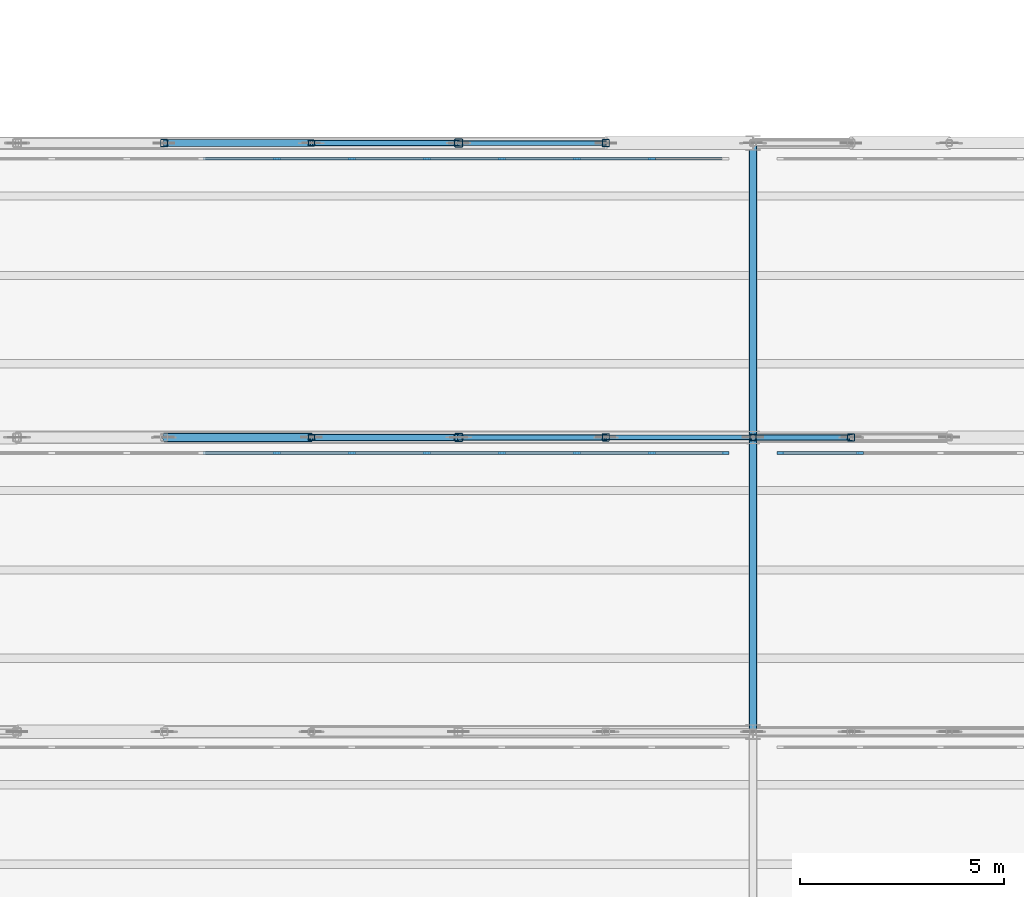
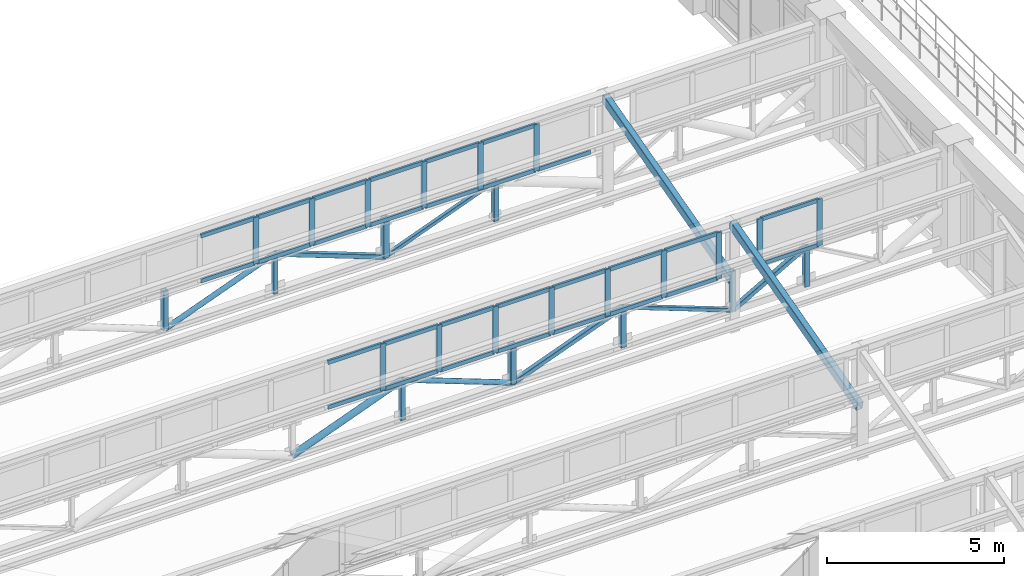
# One storey, part 34 of 98: 61 members, 2 beams, 3 elements without a shape of their own.
"""IFC4 building model written with IfcOpenShell, lengths in metres."""

from ifc_helpers import new_model, si_unit, direction, frame, origin, origin_2d, place, context, subcontext, project, spatial, rectangle, hollow_rectangle, hollow_circle, extrude, material, layer, layer_set, material_profile, profile_set, type_object, element, aggregate, save


model = new_model("IFC4")

# Units and contexts
model_context = context("Model", 3, precision=1e-05, world=origin(), true_north=direction((0.0, 1.0)))
body_context = subcontext(model_context, "Body", "Model", "MODEL_VIEW")
ifc_project = project(units=[si_unit("LENGTHUNIT", "METRE"), si_unit("AREAUNIT", "SQUARE_METRE"), si_unit("VOLUMEUNIT", "CUBIC_METRE"), si_unit("PLANEANGLEUNIT", "RADIAN"), si_unit("MASSUNIT", "GRAM", prefix="KILO")], contexts=[model_context])

# Site, building, storey
site_placement = place(None, origin())
site = spatial("IfcSite", under=ifc_project, at=site_placement, CompositionType="ELEMENT")
building_placement = place(site_placement, origin())
building = spatial("IfcBuilding", under=site, at=building_placement, Name="Solenvale Faculty of Natural Sciences", CompositionType="ELEMENT")
storey_placement = place(building_placement, frame((0.0, 0.0, 9.0)))
storey = spatial("IfcBuildingStorey", under=building, at=storey_placement, Name="L02", CompositionType="ELEMENT", Elevation=9.0)

# Beams
ifc_material_1 = material(Name="Steel S355", Category="steel")
ifc_material_profile_1 = material_profile(ifc_material_1, hollow_rectangle(XDim=0.202880859375, YDim=0.304931640625, WallThickness=0.0126953125, InnerFilletRadius=0.0126953125, OuterFilletRadius=0.025390625, at=origin_2d()), Name="HSS305x203x13")
ifc_profile_set_1 = profile_set([ifc_material_profile_1], Name="Steel S355")
beam_type = type_object("IfcBeamType", Name="BM-RAF-HSS305", PredefinedType="BEAM", material=ifc_profile_set_1)
for number, where, z_axis, x_axis, name in (
    (1, (28.800048828125, 28.800048828125, 1.719970703125), (0.0, 0.965901991803, 0.258907980238), (-1.0, 0.0, 0.0), "V1 Sawtooth End Rafter 5.1.E"),
    (2, (28.800048828125, 36.0, 1.719970703125), (0.0, 0.965901991803, 0.258907980238), (-1.0, 0.0, 0.0), "V1 Sawtooth End Rafter 6.1.E"),
):
    element("IfcBeam", number, at=place(storey_placement, frame(where, z_axis=z_axis, x_axis=x_axis)), inside=storey, type_object=beam_type, Name=name, PredefinedType="BEAM", context=body_context, shape_type="SweptSolid", body=[
        extrude(hollow_rectangle(XDim=0.202880859375, YDim=0.304931640625, WallThickness=0.0126953125, InnerFilletRadius=0.0126953125, OuterFilletRadius=0.025390625, at=origin_2d()), origin(), (0.0, 0.0, 1.0), 7.4541015625),
    ])

# Curtain wall, members
ifc_material_2 = material(Name="Anodised bronze aluminium", Category="aluminium")
ifc_layer = layer(ifc_material_2, 0.1650390625)
ifc_layer_set = layer_set([ifc_layer], Name="Anodised bronze aluminium")
curtain_wall_type = type_object("IfcCurtainWallType", Name="CW-SAW-CLR", PredefinedType="USERDEFINED", material=ifc_layer_set)
curtain_wall_1_placement = place(storey_placement, origin())
curtain_wall_1 = element("IfcCurtainWall", 3, at=curtain_wall_1_placement, inside=storey, type_object=curtain_wall_type, Name="L02 Curtain Wall SAW-V1-CW-5-1", ObjectType="NORTH LIGHT CLERESTORY", PredefinedType="USERDEFINED")
ifc_material_profile_2 = material_profile(ifc_material_2, rectangle(XDim=0.06494140625, YDim=0.175048828125, at=origin_2d()), Name="ALU-MUL-65x175")
ifc_profile_set_2 = profile_set([ifc_material_profile_2], Name="Anodised bronze aluminium")
member_type_1 = type_object("IfcMemberType", Name="CWM-ALU-65x175", PredefinedType="MULLION", material=ifc_profile_set_2)
member_1_placement = place(storey_placement, frame((28.12744140625, 35.6201171875, 2.22998046875), z_axis=(0.0, 0.0, 1.0), x_axis=(0.0, -1.0, 0.0)))
member_1 = element("IfcMember", 4, at=member_1_placement, type_object=member_type_1, Name="CW-05 mullion 1", PredefinedType="MULLION", context=body_context, shape_type="SweptSolid", body=[
    extrude(rectangle(XDim=0.06494140625, YDim=0.175048828125, at=origin_2d()), origin(), (0.0, 0.0, 1.0), 1.610107421875),
])
member_2_placement = place(storey_placement, frame((26.325439453125, 35.6201171875, 2.22998046875), z_axis=(0.0, 0.0, 1.0), x_axis=(0.0, -1.0, 0.0)))
member_2 = element("IfcMember", 5, at=member_2_placement, type_object=member_type_1, Name="CW-05 mullion 2", PredefinedType="MULLION", context=body_context, shape_type="SweptSolid", body=[
    extrude(rectangle(XDim=0.06494140625, YDim=0.175048828125, at=origin_2d()), origin(), (0.0, 0.0, 1.0), 1.610107421875),
])
member_3_placement = place(storey_placement, frame((24.49072265625, 35.6201171875, 2.22998046875), z_axis=(0.0, 0.0, 1.0), x_axis=(0.0, -1.0, 0.0)))
member_3 = element("IfcMember", 6, at=member_3_placement, type_object=member_type_1, Name="CW-05 mullion 3", PredefinedType="MULLION", context=body_context, shape_type="SweptSolid", body=[
    extrude(rectangle(XDim=0.06494140625, YDim=0.175048828125, at=origin_2d()), origin(), (0.0, 0.0, 1.0), 1.610107421875),
])
member_4_placement = place(storey_placement, frame((22.656005859375, 35.6201171875, 2.22998046875), z_axis=(0.0, 0.0, 1.0), x_axis=(0.0, -1.0, 0.0)))
member_4 = element("IfcMember", 7, at=member_4_placement, type_object=member_type_1, Name="CW-05 mullion 4", PredefinedType="MULLION", context=body_context, shape_type="SweptSolid", body=[
    extrude(rectangle(XDim=0.06494140625, YDim=0.175048828125, at=origin_2d()), origin(), (0.0, 0.0, 1.0), 1.610107421875),
])
member_5_placement = place(storey_placement, frame((20.8212890625, 35.6201171875, 2.22998046875), z_axis=(0.0, 0.0, 1.0), x_axis=(0.0, -1.0, 0.0)))
member_5 = element("IfcMember", 8, at=member_5_placement, type_object=member_type_1, Name="CW-05 mullion 5", PredefinedType="MULLION", context=body_context, shape_type="SweptSolid", body=[
    extrude(rectangle(XDim=0.06494140625, YDim=0.175048828125, at=origin_2d()), origin(), (0.0, 0.0, 1.0), 1.610107421875),
])
member_6_placement = place(storey_placement, frame((18.986572265625, 35.6201171875, 2.22998046875), z_axis=(0.0, 0.0, 1.0), x_axis=(0.0, -1.0, 0.0)))
member_6 = element("IfcMember", 9, at=member_6_placement, type_object=member_type_1, Name="CW-05 mullion 6", PredefinedType="MULLION", context=body_context, shape_type="SweptSolid", body=[
    extrude(rectangle(XDim=0.06494140625, YDim=0.175048828125, at=origin_2d()), origin(), (0.0, 0.0, 1.0), 1.610107421875),
])
member_7_placement = place(storey_placement, frame((17.152099609375, 35.6201171875, 2.22998046875), z_axis=(0.0, 0.0, 1.0), x_axis=(0.0, -1.0, 0.0)))
member_7 = element("IfcMember", 10, at=member_7_placement, type_object=member_type_1, Name="CW-05 mullion 7", PredefinedType="MULLION", context=body_context, shape_type="SweptSolid", body=[
    extrude(rectangle(XDim=0.06494140625, YDim=0.175048828125, at=origin_2d()), origin(), (0.0, 0.0, 1.0), 1.610107421875),
])

curtain_wall_2_placement = place(storey_placement, origin())
curtain_wall_2 = element("IfcCurtainWall", 11, at=curtain_wall_2_placement, inside=storey, type_object=curtain_wall_type, Name="L02 Curtain Wall SAW-V1-CW-5-2", ObjectType="NORTH LIGHT CLERESTORY", PredefinedType="USERDEFINED")
member_8_placement = place(storey_placement, frame((31.413330078125, 35.6201171875, 2.22998046875), z_axis=(0.0, 0.0, 1.0), x_axis=(0.0, -1.0, 0.0)))
member_8 = element("IfcMember", 12, at=member_8_placement, type_object=member_type_1, Name="CW-05 mullion 3", PredefinedType="MULLION", context=body_context, shape_type="SweptSolid", body=[
    extrude(rectangle(XDim=0.06494140625, YDim=0.175048828125, at=origin_2d()), origin(), (0.0, 0.0, 1.0), 1.610107421875),
])
member_9_placement = place(storey_placement, frame((29.472412109375, 35.6201171875, 2.22998046875), z_axis=(0.0, 0.0, 1.0), x_axis=(0.0, -1.0, 0.0)))
member_9 = element("IfcMember", 13, at=member_9_placement, type_object=member_type_1, Name="CW-05 mullion 4", PredefinedType="MULLION", context=body_context, shape_type="SweptSolid", body=[
    extrude(rectangle(XDim=0.06494140625, YDim=0.175048828125, at=origin_2d()), origin(), (0.0, 0.0, 1.0), 1.610107421875),
])

curtain_wall_3_placement = place(storey_placement, origin())
curtain_wall_3 = element("IfcCurtainWall", 14, at=curtain_wall_3_placement, inside=storey, type_object=curtain_wall_type, Name="L02 Curtain Wall SAW-V1-CW-6-1", ObjectType="NORTH LIGHT CLERESTORY", PredefinedType="USERDEFINED")
member_10_placement = place(storey_placement, frame((26.325439453125, 42.820068359375, 2.22998046875), z_axis=(0.0, 0.0, 1.0), x_axis=(0.0, -1.0, 0.0)))
member_10 = element("IfcMember", 15, at=member_10_placement, type_object=member_type_1, Name="CW-05 mullion 2", PredefinedType="MULLION", context=body_context, shape_type="SweptSolid", body=[
    extrude(rectangle(XDim=0.06494140625, YDim=0.175048828125, at=origin_2d()), origin(), (0.0, 0.0, 1.0), 1.610107421875),
])
member_11_placement = place(storey_placement, frame((24.49072265625, 42.820068359375, 2.22998046875), z_axis=(0.0, 0.0, 1.0), x_axis=(0.0, -1.0, 0.0)))
member_11 = element("IfcMember", 16, at=member_11_placement, type_object=member_type_1, Name="CW-05 mullion 3", PredefinedType="MULLION", context=body_context, shape_type="SweptSolid", body=[
    extrude(rectangle(XDim=0.06494140625, YDim=0.175048828125, at=origin_2d()), origin(), (0.0, 0.0, 1.0), 1.610107421875),
])
member_12_placement = place(storey_placement, frame((22.656005859375, 42.820068359375, 2.22998046875), z_axis=(0.0, 0.0, 1.0), x_axis=(0.0, -1.0, 0.0)))
member_12 = element("IfcMember", 17, at=member_12_placement, type_object=member_type_1, Name="CW-05 mullion 4", PredefinedType="MULLION", context=body_context, shape_type="SweptSolid", body=[
    extrude(rectangle(XDim=0.06494140625, YDim=0.175048828125, at=origin_2d()), origin(), (0.0, 0.0, 1.0), 1.610107421875),
])
member_13_placement = place(storey_placement, frame((20.8212890625, 42.820068359375, 2.22998046875), z_axis=(0.0, 0.0, 1.0), x_axis=(0.0, -1.0, 0.0)))
member_13 = element("IfcMember", 18, at=member_13_placement, type_object=member_type_1, Name="CW-05 mullion 5", PredefinedType="MULLION", context=body_context, shape_type="SweptSolid", body=[
    extrude(rectangle(XDim=0.06494140625, YDim=0.175048828125, at=origin_2d()), origin(), (0.0, 0.0, 1.0), 1.610107421875),
])
member_14_placement = place(storey_placement, frame((18.986572265625, 42.820068359375, 2.22998046875), z_axis=(0.0, 0.0, 1.0), x_axis=(0.0, -1.0, 0.0)))
member_14 = element("IfcMember", 19, at=member_14_placement, type_object=member_type_1, Name="CW-05 mullion 6", PredefinedType="MULLION", context=body_context, shape_type="SweptSolid", body=[
    extrude(rectangle(XDim=0.06494140625, YDim=0.175048828125, at=origin_2d()), origin(), (0.0, 0.0, 1.0), 1.610107421875),
])
member_15_placement = place(storey_placement, frame((17.152099609375, 42.820068359375, 2.22998046875), z_axis=(0.0, 0.0, 1.0), x_axis=(0.0, -1.0, 0.0)))
member_15 = element("IfcMember", 20, at=member_15_placement, type_object=member_type_1, Name="CW-05 mullion 7", PredefinedType="MULLION", context=body_context, shape_type="SweptSolid", body=[
    extrude(rectangle(XDim=0.06494140625, YDim=0.175048828125, at=origin_2d()), origin(), (0.0, 0.0, 1.0), 1.610107421875),
])

# Member
ifc_material_profile_3 = material_profile(ifc_material_2, rectangle(XDim=0.06494140625, YDim=0.135009765625, at=origin_2d()), Name="ALU-TRN-65x135")
ifc_profile_set_3 = profile_set([ifc_material_profile_3], Name="Anodised bronze aluminium")
member_type_2 = type_object("IfcMemberType", Name="CWT-ALU-65x135", PredefinedType="USERDEFINED", material=ifc_profile_set_3)
member_16_placement = place(storey_placement, frame((28.094970703125, 35.6201171875, 2.262451171875), z_axis=(-1.0, 0.0, 0.0), x_axis=(0.0, -1.0, 0.0)))
member_16 = element("IfcMember", 21, at=member_16_placement, type_object=member_type_2, Name="CW-05 transom 1.1", ObjectType="TRANSOM", PredefinedType="USERDEFINED", context=body_context, shape_type="SweptSolid", body=[
    extrude(rectangle(XDim=0.06494140625, YDim=0.135009765625, at=origin_2d()), origin(), (0.0, 0.0, 1.0), 1.737060546875),
])

member_17_placement = place(storey_placement, frame((28.094970703125, 35.6201171875, 3.8076171875), z_axis=(-1.0, 0.0, 0.0), x_axis=(0.0, -1.0, 0.0)))
member_17 = element("IfcMember", 22, at=member_17_placement, type_object=member_type_2, Name="CW-05 transom 1.2", ObjectType="TRANSOM", PredefinedType="USERDEFINED", context=body_context, shape_type="SweptSolid", body=[
    extrude(rectangle(XDim=0.06494140625, YDim=0.135009765625, at=origin_2d()), origin(), (0.0, 0.0, 1.0), 1.737060546875),
])

member_18_placement = place(storey_placement, frame((26.292724609375, 35.6201171875, 2.262451171875), z_axis=(-1.0, 0.0, 0.0), x_axis=(0.0, -1.0, 0.0)))
member_18 = element("IfcMember", 23, at=member_18_placement, type_object=member_type_2, Name="CW-05 transom 2.1", ObjectType="TRANSOM", PredefinedType="USERDEFINED", context=body_context, shape_type="SweptSolid", body=[
    extrude(rectangle(XDim=0.06494140625, YDim=0.135009765625, at=origin_2d()), origin(), (0.0, 0.0, 1.0), 1.76953125),
])

member_19_placement = place(storey_placement, frame((26.292724609375, 35.6201171875, 3.8076171875), z_axis=(-1.0, 0.0, 0.0), x_axis=(0.0, -1.0, 0.0)))
member_19 = element("IfcMember", 24, at=member_19_placement, type_object=member_type_2, Name="CW-05 transom 2.2", ObjectType="TRANSOM", PredefinedType="USERDEFINED", context=body_context, shape_type="SweptSolid", body=[
    extrude(rectangle(XDim=0.06494140625, YDim=0.135009765625, at=origin_2d()), origin(), (0.0, 0.0, 1.0), 1.76953125),
])

member_20_placement = place(storey_placement, frame((24.458251953125, 35.6201171875, 2.262451171875), z_axis=(-1.0, 0.0, 0.0), x_axis=(0.0, -1.0, 0.0)))
member_20 = element("IfcMember", 25, at=member_20_placement, type_object=member_type_2, Name="CW-05 transom 3.1", ObjectType="TRANSOM", PredefinedType="USERDEFINED", context=body_context, shape_type="SweptSolid", body=[
    extrude(rectangle(XDim=0.06494140625, YDim=0.135009765625, at=origin_2d()), origin(), (0.0, 0.0, 1.0), 1.769775390625),
])

member_21_placement = place(storey_placement, frame((24.458251953125, 35.6201171875, 3.8076171875), z_axis=(-1.0, 0.0, 0.0), x_axis=(0.0, -1.0, 0.0)))
member_21 = element("IfcMember", 26, at=member_21_placement, type_object=member_type_2, Name="CW-05 transom 3.2", ObjectType="TRANSOM", PredefinedType="USERDEFINED", context=body_context, shape_type="SweptSolid", body=[
    extrude(rectangle(XDim=0.06494140625, YDim=0.135009765625, at=origin_2d()), origin(), (0.0, 0.0, 1.0), 1.769775390625),
])

member_22_placement = place(storey_placement, frame((22.62353515625, 35.6201171875, 2.262451171875), z_axis=(-1.0, 0.0, 0.0), x_axis=(0.0, -1.0, 0.0)))
member_22 = element("IfcMember", 27, at=member_22_placement, type_object=member_type_2, Name="CW-05 transom 4.1", ObjectType="TRANSOM", PredefinedType="USERDEFINED", context=body_context, shape_type="SweptSolid", body=[
    extrude(rectangle(XDim=0.06494140625, YDim=0.135009765625, at=origin_2d()), origin(), (0.0, 0.0, 1.0), 1.769775390625),
])

member_23_placement = place(storey_placement, frame((22.62353515625, 35.6201171875, 3.8076171875), z_axis=(-1.0, 0.0, 0.0), x_axis=(0.0, -1.0, 0.0)))
member_23 = element("IfcMember", 28, at=member_23_placement, type_object=member_type_2, Name="CW-05 transom 4.2", ObjectType="TRANSOM", PredefinedType="USERDEFINED", context=body_context, shape_type="SweptSolid", body=[
    extrude(rectangle(XDim=0.06494140625, YDim=0.135009765625, at=origin_2d()), origin(), (0.0, 0.0, 1.0), 1.769775390625),
])

member_24_placement = place(storey_placement, frame((20.788818359375, 35.6201171875, 2.262451171875), z_axis=(-1.0, 0.0, 0.0), x_axis=(0.0, -1.0, 0.0)))
member_24 = element("IfcMember", 29, at=member_24_placement, type_object=member_type_2, Name="CW-05 transom 5.1", ObjectType="TRANSOM", PredefinedType="USERDEFINED", context=body_context, shape_type="SweptSolid", body=[
    extrude(rectangle(XDim=0.06494140625, YDim=0.135009765625, at=origin_2d()), origin(), (0.0, 0.0, 1.0), 1.76953125),
])

member_25_placement = place(storey_placement, frame((20.788818359375, 35.6201171875, 3.8076171875), z_axis=(-1.0, 0.0, 0.0), x_axis=(0.0, -1.0, 0.0)))
member_25 = element("IfcMember", 30, at=member_25_placement, type_object=member_type_2, Name="CW-05 transom 5.2", ObjectType="TRANSOM", PredefinedType="USERDEFINED", context=body_context, shape_type="SweptSolid", body=[
    extrude(rectangle(XDim=0.06494140625, YDim=0.135009765625, at=origin_2d()), origin(), (0.0, 0.0, 1.0), 1.76953125),
])

member_26_placement = place(storey_placement, frame((18.9541015625, 35.6201171875, 2.262451171875), z_axis=(-1.0, 0.0, 0.0), x_axis=(0.0, -1.0, 0.0)))
member_26 = element("IfcMember", 31, at=member_26_placement, type_object=member_type_2, Name="CW-05 transom 6.1", ObjectType="TRANSOM", PredefinedType="USERDEFINED", context=body_context, shape_type="SweptSolid", body=[
    extrude(rectangle(XDim=0.06494140625, YDim=0.135009765625, at=origin_2d()), origin(), (0.0, 0.0, 1.0), 1.76953125),
])

member_27_placement = place(storey_placement, frame((18.9541015625, 35.6201171875, 3.8076171875), z_axis=(-1.0, 0.0, 0.0), x_axis=(0.0, -1.0, 0.0)))
member_27 = element("IfcMember", 32, at=member_27_placement, type_object=member_type_2, Name="CW-05 transom 6.2", ObjectType="TRANSOM", PredefinedType="USERDEFINED", context=body_context, shape_type="SweptSolid", body=[
    extrude(rectangle(XDim=0.06494140625, YDim=0.135009765625, at=origin_2d()), origin(), (0.0, 0.0, 1.0), 1.76953125),
])

member_28_placement = place(storey_placement, frame((17.119384765625, 35.6201171875, 2.262451171875), z_axis=(-1.0, 0.0, 0.0), x_axis=(0.0, -1.0, 0.0)))
member_28 = element("IfcMember", 33, at=member_28_placement, type_object=member_type_2, Name="CW-05 transom 7.1", ObjectType="TRANSOM", PredefinedType="USERDEFINED", context=body_context, shape_type="SweptSolid", body=[
    extrude(rectangle(XDim=0.06494140625, YDim=0.135009765625, at=origin_2d()), origin(), (0.0, 0.0, 1.0), 1.76953125),
])

member_29_placement = place(storey_placement, frame((17.119384765625, 35.6201171875, 3.8076171875), z_axis=(-1.0, 0.0, 0.0), x_axis=(0.0, -1.0, 0.0)))
member_29 = element("IfcMember", 34, at=member_29_placement, type_object=member_type_2, Name="CW-05 transom 7.2", ObjectType="TRANSOM", PredefinedType="USERDEFINED", context=body_context, shape_type="SweptSolid", body=[
    extrude(rectangle(XDim=0.06494140625, YDim=0.135009765625, at=origin_2d()), origin(), (0.0, 0.0, 1.0), 1.76953125),
])

aggregate(curtain_wall_1, [member_1, member_2, member_3, member_4, member_5, member_6, member_7, member_16, member_17, member_18, member_19, member_20, member_21, member_22, member_23, member_24, member_25, member_26, member_27, member_28, member_29])

member_30_placement = place(storey_placement, frame((31.380859375, 35.6201171875, 2.262451171875), z_axis=(-1.0, 0.0, 0.0), x_axis=(0.0, -1.0, 0.0)))
member_30 = element("IfcMember", 35, at=member_30_placement, type_object=member_type_2, Name="CW-05 transom 3.1", ObjectType="TRANSOM", PredefinedType="USERDEFINED", context=body_context, shape_type="SweptSolid", body=[
    extrude(rectangle(XDim=0.06494140625, YDim=0.135009765625, at=origin_2d()), origin(), (0.0, 0.0, 1.0), 1.8759765625),
])

member_31_placement = place(storey_placement, frame((31.380859375, 35.6201171875, 3.8076171875), z_axis=(-1.0, 0.0, 0.0), x_axis=(0.0, -1.0, 0.0)))
member_31 = element("IfcMember", 36, at=member_31_placement, type_object=member_type_2, Name="CW-05 transom 3.2", ObjectType="TRANSOM", PredefinedType="USERDEFINED", context=body_context, shape_type="SweptSolid", body=[
    extrude(rectangle(XDim=0.06494140625, YDim=0.135009765625, at=origin_2d()), origin(), (0.0, 0.0, 1.0), 1.8759765625),
])

aggregate(curtain_wall_2, [member_8, member_9, member_30, member_31])

member_32_placement = place(storey_placement, frame((28.094970703125, 42.820068359375, 2.262451171875), z_axis=(-1.0, 0.0, 0.0), x_axis=(0.0, -1.0, 0.0)))
member_32 = element("IfcMember", 37, at=member_32_placement, type_object=member_type_2, Name="CW-05 transom 1.1", ObjectType="TRANSOM", PredefinedType="USERDEFINED", context=body_context, shape_type="SweptSolid", body=[
    extrude(rectangle(XDim=0.06494140625, YDim=0.135009765625, at=origin_2d()), origin(), (0.0, 0.0, 1.0), 1.737060546875),
])

member_33_placement = place(storey_placement, frame((26.292724609375, 42.820068359375, 2.262451171875), z_axis=(-1.0, 0.0, 0.0), x_axis=(0.0, -1.0, 0.0)))
member_33 = element("IfcMember", 38, at=member_33_placement, type_object=member_type_2, Name="CW-05 transom 2.1", ObjectType="TRANSOM", PredefinedType="USERDEFINED", context=body_context, shape_type="SweptSolid", body=[
    extrude(rectangle(XDim=0.06494140625, YDim=0.135009765625, at=origin_2d()), origin(), (0.0, 0.0, 1.0), 1.76953125),
])

member_34_placement = place(storey_placement, frame((26.292724609375, 42.820068359375, 3.8076171875), z_axis=(-1.0, 0.0, 0.0), x_axis=(0.0, -1.0, 0.0)))
member_34 = element("IfcMember", 39, at=member_34_placement, type_object=member_type_2, Name="CW-05 transom 2.2", ObjectType="TRANSOM", PredefinedType="USERDEFINED", context=body_context, shape_type="SweptSolid", body=[
    extrude(rectangle(XDim=0.06494140625, YDim=0.135009765625, at=origin_2d()), origin(), (0.0, 0.0, 1.0), 1.76953125),
])

member_35_placement = place(storey_placement, frame((24.458251953125, 42.820068359375, 2.262451171875), z_axis=(-1.0, 0.0, 0.0), x_axis=(0.0, -1.0, 0.0)))
member_35 = element("IfcMember", 40, at=member_35_placement, type_object=member_type_2, Name="CW-05 transom 3.1", ObjectType="TRANSOM", PredefinedType="USERDEFINED", context=body_context, shape_type="SweptSolid", body=[
    extrude(rectangle(XDim=0.06494140625, YDim=0.135009765625, at=origin_2d()), origin(), (0.0, 0.0, 1.0), 1.769775390625),
])

member_36_placement = place(storey_placement, frame((24.458251953125, 42.820068359375, 3.8076171875), z_axis=(-1.0, 0.0, 0.0), x_axis=(0.0, -1.0, 0.0)))
member_36 = element("IfcMember", 41, at=member_36_placement, type_object=member_type_2, Name="CW-05 transom 3.2", ObjectType="TRANSOM", PredefinedType="USERDEFINED", context=body_context, shape_type="SweptSolid", body=[
    extrude(rectangle(XDim=0.06494140625, YDim=0.135009765625, at=origin_2d()), origin(), (0.0, 0.0, 1.0), 1.769775390625),
])

member_37_placement = place(storey_placement, frame((22.62353515625, 42.820068359375, 2.262451171875), z_axis=(-1.0, 0.0, 0.0), x_axis=(0.0, -1.0, 0.0)))
member_37 = element("IfcMember", 42, at=member_37_placement, type_object=member_type_2, Name="CW-05 transom 4.1", ObjectType="TRANSOM", PredefinedType="USERDEFINED", context=body_context, shape_type="SweptSolid", body=[
    extrude(rectangle(XDim=0.06494140625, YDim=0.135009765625, at=origin_2d()), origin(), (0.0, 0.0, 1.0), 1.769775390625),
])

member_38_placement = place(storey_placement, frame((22.62353515625, 42.820068359375, 3.8076171875), z_axis=(-1.0, 0.0, 0.0), x_axis=(0.0, -1.0, 0.0)))
member_38 = element("IfcMember", 43, at=member_38_placement, type_object=member_type_2, Name="CW-05 transom 4.2", ObjectType="TRANSOM", PredefinedType="USERDEFINED", context=body_context, shape_type="SweptSolid", body=[
    extrude(rectangle(XDim=0.06494140625, YDim=0.135009765625, at=origin_2d()), origin(), (0.0, 0.0, 1.0), 1.769775390625),
])

member_39_placement = place(storey_placement, frame((20.788818359375, 42.820068359375, 2.262451171875), z_axis=(-1.0, 0.0, 0.0), x_axis=(0.0, -1.0, 0.0)))
member_39 = element("IfcMember", 44, at=member_39_placement, type_object=member_type_2, Name="CW-05 transom 5.1", ObjectType="TRANSOM", PredefinedType="USERDEFINED", context=body_context, shape_type="SweptSolid", body=[
    extrude(rectangle(XDim=0.06494140625, YDim=0.135009765625, at=origin_2d()), origin(), (0.0, 0.0, 1.0), 1.76953125),
])

member_40_placement = place(storey_placement, frame((20.788818359375, 42.820068359375, 3.8076171875), z_axis=(-1.0, 0.0, 0.0), x_axis=(0.0, -1.0, 0.0)))
member_40 = element("IfcMember", 45, at=member_40_placement, type_object=member_type_2, Name="CW-05 transom 5.2", ObjectType="TRANSOM", PredefinedType="USERDEFINED", context=body_context, shape_type="SweptSolid", body=[
    extrude(rectangle(XDim=0.06494140625, YDim=0.135009765625, at=origin_2d()), origin(), (0.0, 0.0, 1.0), 1.76953125),
])

member_41_placement = place(storey_placement, frame((18.9541015625, 42.820068359375, 2.262451171875), z_axis=(-1.0, 0.0, 0.0), x_axis=(0.0, -1.0, 0.0)))
member_41 = element("IfcMember", 46, at=member_41_placement, type_object=member_type_2, Name="CW-05 transom 6.1", ObjectType="TRANSOM", PredefinedType="USERDEFINED", context=body_context, shape_type="SweptSolid", body=[
    extrude(rectangle(XDim=0.06494140625, YDim=0.135009765625, at=origin_2d()), origin(), (0.0, 0.0, 1.0), 1.76953125),
])

member_42_placement = place(storey_placement, frame((18.9541015625, 42.820068359375, 3.8076171875), z_axis=(-1.0, 0.0, 0.0), x_axis=(0.0, -1.0, 0.0)))
member_42 = element("IfcMember", 47, at=member_42_placement, type_object=member_type_2, Name="CW-05 transom 6.2", ObjectType="TRANSOM", PredefinedType="USERDEFINED", context=body_context, shape_type="SweptSolid", body=[
    extrude(rectangle(XDim=0.06494140625, YDim=0.135009765625, at=origin_2d()), origin(), (0.0, 0.0, 1.0), 1.76953125),
])

member_43_placement = place(storey_placement, frame((17.119384765625, 42.820068359375, 2.262451171875), z_axis=(-1.0, 0.0, 0.0), x_axis=(0.0, -1.0, 0.0)))
member_43 = element("IfcMember", 48, at=member_43_placement, type_object=member_type_2, Name="CW-05 transom 7.1", ObjectType="TRANSOM", PredefinedType="USERDEFINED", context=body_context, shape_type="SweptSolid", body=[
    extrude(rectangle(XDim=0.06494140625, YDim=0.135009765625, at=origin_2d()), origin(), (0.0, 0.0, 1.0), 1.76953125),
])

member_44_placement = place(storey_placement, frame((17.119384765625, 42.820068359375, 3.8076171875), z_axis=(-1.0, 0.0, 0.0), x_axis=(0.0, -1.0, 0.0)))
member_44 = element("IfcMember", 49, at=member_44_placement, type_object=member_type_2, Name="CW-05 transom 7.2", ObjectType="TRANSOM", PredefinedType="USERDEFINED", context=body_context, shape_type="SweptSolid", body=[
    extrude(rectangle(XDim=0.06494140625, YDim=0.135009765625, at=origin_2d()), origin(), (0.0, 0.0, 1.0), 1.76953125),
])

aggregate(curtain_wall_3, [member_10, member_11, member_12, member_13, member_14, member_15, member_32, member_33, member_34, member_35, member_36, member_37, member_38, member_39, member_40, member_41, member_42, member_43, member_44])

# Members
ifc_material_profile_4 = material_profile(ifc_material_1, hollow_circle(Radius=0.084228515625, WallThickness=0.008056640625, at=origin_2d()), Name="HSS168x8.0")
ifc_profile_set_4 = profile_set([ifc_material_profile_4], Name="Steel S355")
member_type_3 = type_object("IfcMemberType", Name="MB-BRC-CHS168", PredefinedType="BRACE", material=ifc_profile_set_4)
for number, where, z_axis, x_axis, name in (
    (50, (18.0, 36.0, 2.050048828125), (0.935466034784, 0.0, -0.353416606522), (0.0, 1.0, 0.0), "V1 Truss 5.1 Diagonal 6"),
    (51, (14.39990234375, 43.199951171875, 0.68994140625), (0.935466034784, 0.0, 0.353416606522), (0.0, 1.0, 0.0), "V1 Truss 6.1 Diagonal 5"),
):
    element("IfcMember", number, at=place(storey_placement, frame(where, z_axis=z_axis, x_axis=x_axis)), inside=storey, type_object=member_type_3, Name=name, PredefinedType="BRACE", context=body_context, shape_type="SweptSolid", body=[
        extrude(hollow_circle(Radius=0.084228515625, WallThickness=0.008056640625, at=origin_2d()), origin(), (0.0, 0.0, 1.0), 3.848388671875),
    ])
ifc_material_profile_5 = material_profile(ifc_material_1, hollow_circle(Radius=0.109619140625, WallThickness=0.009521484375, at=origin_2d()), Name="HSS219x9.5")
ifc_profile_set_5 = profile_set([ifc_material_profile_5], Name="Steel S355")
member_type_4 = type_object("IfcMemberType", Name="MB-BRC-CHS219", PredefinedType="BRACE", material=ifc_profile_set_5)
member_45_placement = place(storey_placement, frame((14.39990234375, 36.0, 0.68994140625), z_axis=(0.935466034784, 0.0, 0.353416606522), x_axis=(0.0, 1.0, 0.0)))
element("IfcMember", 52, at=member_45_placement, inside=storey, type_object=member_type_4, Name="V1 Truss 5.1 Diagonal 5", PredefinedType="BRACE", context=body_context, shape_type="SweptSolid", body=[
    extrude(hollow_circle(Radius=0.109619140625, WallThickness=0.009521484375, at=origin_2d()), origin(), (0.0, 0.0, 1.0), 3.848388671875),
])
ifc_material_profile_6 = material_profile(ifc_material_1, hollow_rectangle(XDim=0.126953125, YDim=0.126953125, WallThickness=0.008056640625, InnerFilletRadius=0.008056640625, OuterFilletRadius=0.01611328125, at=origin_2d()), Name="HSS127x127x8.0")
ifc_profile_set_6 = profile_set([ifc_material_profile_6], Name="Steel S355")
member_type_5 = type_object("IfcMemberType", Name="MB-BRC-HSS127", PredefinedType="BRACE", material=ifc_profile_set_6)
member_46_placement = place(storey_placement, frame((25.199951171875, 36.0, 2.050048828125), z_axis=(0.935466034784, 0.0, -0.353416606522), x_axis=(0.0, 1.0, 0.0)))
element("IfcMember", 53, at=member_46_placement, inside=storey, type_object=member_type_5, Name="V1 Truss 5.1 Diagonal 8", PredefinedType="BRACE", context=body_context, shape_type="SweptSolid", body=[
    extrude(hollow_rectangle(XDim=0.126953125, YDim=0.126953125, WallThickness=0.008056640625, InnerFilletRadius=0.008056640625, OuterFilletRadius=0.01611328125, at=origin_2d()), origin(), (0.0, 0.0, 1.0), 3.848388671875),
])
member_47_placement = place(storey_placement, frame((21.60009765625, 43.199951171875, 0.68994140625), z_axis=(0.935458110384, 0.0, 0.353437581075), x_axis=(0.0, 1.0, 0.0)))
element("IfcMember", 54, at=member_47_placement, inside=storey, type_object=member_type_5, Name="V1 Truss 6.1 Diagonal 7", PredefinedType="BRACE", context=body_context, shape_type="SweptSolid", body=[
    extrude(hollow_rectangle(XDim=0.126953125, YDim=0.126953125, WallThickness=0.008056640625, InnerFilletRadius=0.008056640625, OuterFilletRadius=0.01611328125, at=origin_2d()), origin(), (0.0, 0.0, 1.0), 3.84814453125),
])
ifc_material_profile_7 = material_profile(ifc_material_1, hollow_rectangle(XDim=0.152099609375, YDim=0.152099609375, WallThickness=0.009521484375, InnerFilletRadius=0.009521484375, OuterFilletRadius=0.01904296875, at=origin_2d()), Name="HSS152x152x9.5")
ifc_profile_set_7 = profile_set([ifc_material_profile_7], Name="Steel S355")
member_type_6 = type_object("IfcMemberType", Name="MB-BRC-HSS152", PredefinedType="BRACE", material=ifc_profile_set_7)
member_48_placement = place(storey_placement, frame((21.60009765625, 36.0, 0.68994140625), z_axis=(0.935458110384, 0.0, 0.353437581075), x_axis=(0.0, 1.0, 0.0)))
element("IfcMember", 55, at=member_48_placement, inside=storey, type_object=member_type_6, Name="V1 Truss 5.1 Diagonal 7", PredefinedType="BRACE", context=body_context, shape_type="SweptSolid", body=[
    extrude(hollow_rectangle(XDim=0.152099609375, YDim=0.152099609375, WallThickness=0.009521484375, InnerFilletRadius=0.009521484375, OuterFilletRadius=0.01904296875, at=origin_2d()), origin(), (0.0, 0.0, 1.0), 3.84814453125),
])
member_49_placement = place(storey_placement, frame((28.800048828125, 36.0, 0.68994140625), z_axis=(0.869996876503, 0.0, 0.493057232859), x_axis=(0.0, 1.0, 0.0)))
element("IfcMember", 56, at=member_49_placement, inside=storey, type_object=member_type_6, Name="V1 Truss 5.2 Diagonal 1", PredefinedType="BRACE", context=body_context, shape_type="SweptSolid", body=[
    extrude(hollow_rectangle(XDim=0.152099609375, YDim=0.152099609375, WallThickness=0.009521484375, InnerFilletRadius=0.009521484375, OuterFilletRadius=0.01904296875, at=origin_2d()), origin(), (0.0, 0.0, 1.0), 2.758544921875),
])
member_50_placement = place(storey_placement, frame((18.0, 43.199951171875, 2.050048828125), z_axis=(0.935466034784, 0.0, -0.353416606522), x_axis=(0.0, 1.0, 0.0)))
element("IfcMember", 57, at=member_50_placement, inside=storey, type_object=member_type_6, Name="V1 Truss 6.1 Diagonal 6", PredefinedType="BRACE", context=body_context, shape_type="SweptSolid", body=[
    extrude(hollow_rectangle(XDim=0.152099609375, YDim=0.152099609375, WallThickness=0.009521484375, InnerFilletRadius=0.009521484375, OuterFilletRadius=0.01904296875, at=origin_2d()), origin(), (0.0, 0.0, 1.0), 3.848388671875),
])
ifc_material_profile_8 = material_profile(ifc_material_1, hollow_rectangle(XDim=0.152099609375, YDim=0.152099609375, WallThickness=0.009521484375, InnerFilletRadius=0.009521484375, OuterFilletRadius=0.01904296875, at=origin_2d()), Name="HSS152x152x9.5")
ifc_profile_set_8 = profile_set([ifc_material_profile_8], Name="Steel S355")
member_type_7 = type_object("IfcMemberType", Name="MB-STR-HSS152", PredefinedType="STRUT", material=ifc_profile_set_8)
for number, where, z_axis, x_axis, name in (
    (58, (18.0, 36.0, 0.68994140625), (0.0, 0.0, 1.0), (1.0, 0.0, 0.0), "V1 Truss 5.1 Strut 5"),
    (59, (28.800048828125, 36.0, 0.68994140625), (0.0, 0.0, 1.0), (1.0, 0.0, 0.0), "V1 Truss 5.1 Strut 8"),
    (60, (18.0, 43.199951171875, 0.68994140625), (0.0, 0.0, 1.0), (1.0, 0.0, 0.0), "V1 Truss 6.1 Strut 5"),
):
    element("IfcMember", number, at=place(storey_placement, frame(where, z_axis=z_axis, x_axis=x_axis)), inside=storey, type_object=member_type_7, Name=name, PredefinedType="STRUT", context=body_context, shape_type="SweptSolid", body=[
        extrude(hollow_rectangle(XDim=0.152099609375, YDim=0.152099609375, WallThickness=0.009521484375, InnerFilletRadius=0.009521484375, OuterFilletRadius=0.01904296875, at=origin_2d()), origin(), (0.0, 0.0, 1.0), 1.360107421875),
    ])
ifc_material_profile_9 = material_profile(ifc_material_1, hollow_rectangle(XDim=0.177978515625, YDim=0.177978515625, WallThickness=0.009521484375, InnerFilletRadius=0.009521484375, OuterFilletRadius=0.01904296875, at=origin_2d()), Name="HSS178x178x9.5")
ifc_profile_set_9 = profile_set([ifc_material_profile_9], Name="Steel S355")
member_type_8 = type_object("IfcMemberType", Name="MB-STR-HSS178", PredefinedType="STRUT", material=ifc_profile_set_9)
for number, where, z_axis, x_axis, name in (
    (61, (25.199951171875, 36.0, 0.68994140625), (0.0, 0.0, 1.0), (1.0, 0.0, 0.0), "V1 Truss 5.1 Strut 7"),
    (62, (31.199951171875, 36.0, 0.68994140625), (0.0, 0.0, 1.0), (1.0, 0.0, 0.0), "V1 Truss 5.2 Strut 1"),
    (63, (14.39990234375, 43.199951171875, 0.68994140625), (0.0, 0.0, 1.0), (1.0, 0.0, 0.0), "V1 Truss 6.1 Strut 4"),
    (64, (25.199951171875, 43.199951171875, 0.68994140625), (0.0, 0.0, 1.0), (1.0, 0.0, 0.0), "V1 Truss 6.1 Strut 7"),
):
    element("IfcMember", number, at=place(storey_placement, frame(where, z_axis=z_axis, x_axis=x_axis)), inside=storey, type_object=member_type_8, Name=name, PredefinedType="STRUT", context=body_context, shape_type="SweptSolid", body=[
        extrude(hollow_rectangle(XDim=0.177978515625, YDim=0.177978515625, WallThickness=0.009521484375, InnerFilletRadius=0.009521484375, OuterFilletRadius=0.01904296875, at=origin_2d()), origin(), (0.0, 0.0, 1.0), 1.360107421875),
    ])
ifc_material_profile_10 = material_profile(ifc_material_1, hollow_rectangle(XDim=0.202880859375, YDim=0.202880859375, WallThickness=0.0126953125, InnerFilletRadius=0.0126953125, OuterFilletRadius=0.025390625, at=origin_2d()), Name="HSS203x203x13")
ifc_profile_set_10 = profile_set([ifc_material_profile_10], Name="Steel S355")
member_type_9 = type_object("IfcMemberType", Name="MB-STR-HSS203", PredefinedType="STRUT", material=ifc_profile_set_10)
for number, where, z_axis, x_axis, name in (
    (65, (21.60009765625, 36.0, 0.68994140625), (0.0, 0.0, 1.0), (1.0, 0.0, 0.0), "V1 Truss 5.1 Strut 6"),
    (66, (21.60009765625, 43.199951171875, 0.68994140625), (0.0, 0.0, 1.0), (1.0, 0.0, 0.0), "V1 Truss 6.1 Strut 6"),
):
    element("IfcMember", number, at=place(storey_placement, frame(where, z_axis=z_axis, x_axis=x_axis)), inside=storey, type_object=member_type_9, Name=name, PredefinedType="STRUT", context=body_context, shape_type="SweptSolid", body=[
        extrude(hollow_rectangle(XDim=0.202880859375, YDim=0.202880859375, WallThickness=0.0126953125, InnerFilletRadius=0.0126953125, OuterFilletRadius=0.025390625, at=origin_2d()), origin(), (0.0, 0.0, 1.0), 1.360107421875),
    ])

save(model, "model.ifc")
